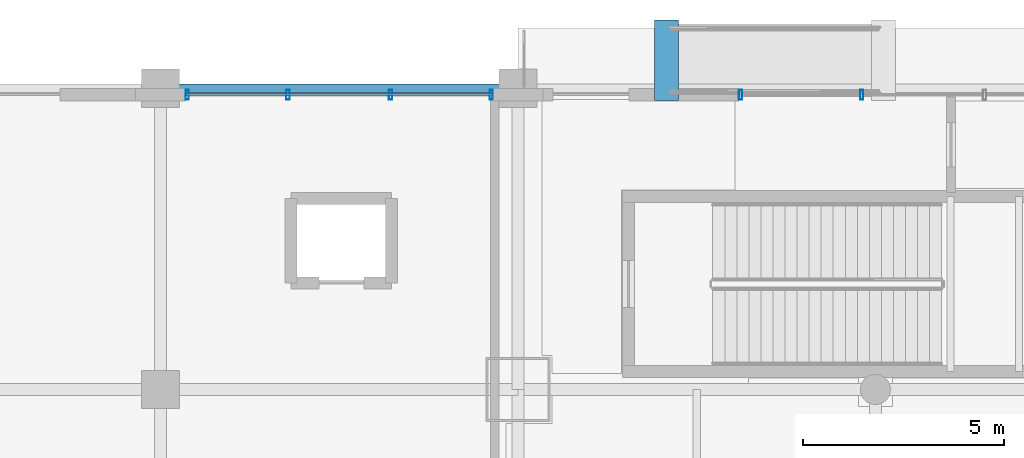
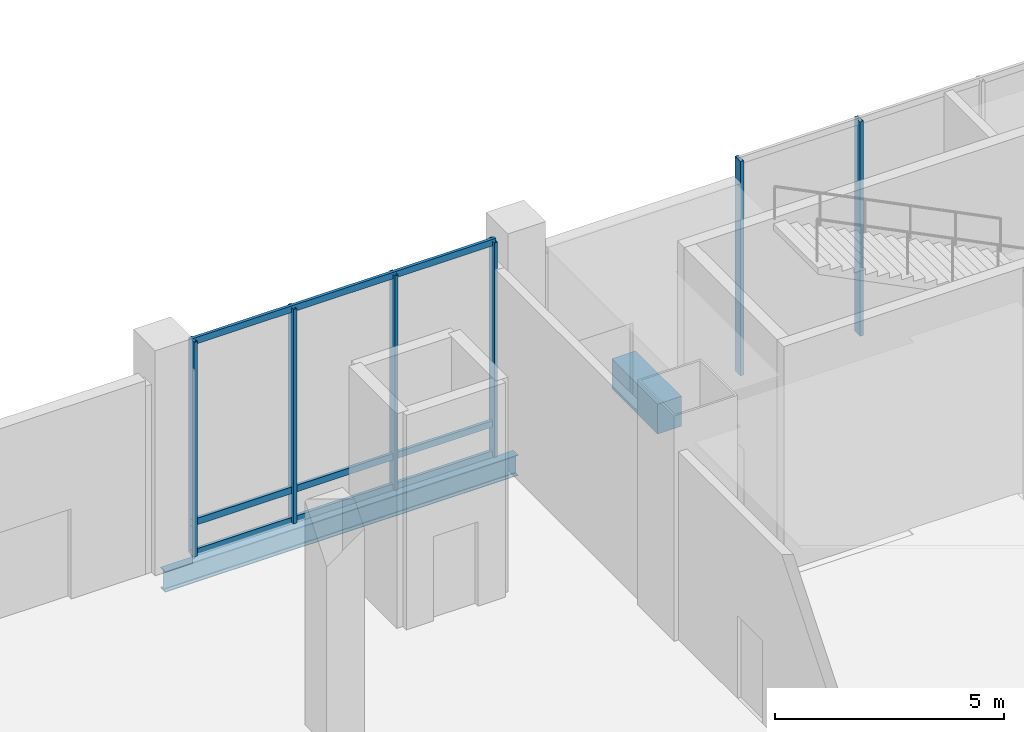
# One storey, part 8 of 32: 9 members, 2 beams, 2 elements without a shape of their own.
"""IFC4 building model written with IfcOpenShell, lengths in metres."""

from ifc_helpers import new_model, si_unit, direction, frame, origin, origin_2d, place, context, subcontext, project, spatial, rectangle, hollow_rectangle, i_section, extrude, material, material_profile, profile_set, type_object, element, aggregate, save


model = new_model("IFC4")

# Units and contexts
model_context = context("Model", 3, precision=1e-05, world=origin(), true_north=direction((0.0, 1.0)))
body_context = subcontext(model_context, "Body", "Model", "MODEL_VIEW")
ifc_project = project(units=[si_unit("LENGTHUNIT", "METRE"), si_unit("AREAUNIT", "SQUARE_METRE"), si_unit("VOLUMEUNIT", "CUBIC_METRE"), si_unit("PLANEANGLEUNIT", "RADIAN"), si_unit("MASSUNIT", "GRAM", prefix="KILO")], contexts=[model_context])

# Site, building, storey
site_placement = place(None, origin())
site = spatial("IfcSite", under=ifc_project, at=site_placement, CompositionType="ELEMENT")
building_placement = place(site_placement, origin())
building = spatial("IfcBuilding", under=site, at=building_placement, Name="Punatoya Terracotta Tower", CompositionType="ELEMENT")
storey_placement = place(building_placement, origin())
storey = spatial("IfcBuildingStorey", under=building, at=storey_placement, Name="L00", CompositionType="ELEMENT", Elevation=0.0)

# Beams
ifc_material_1 = material(Name="Concrete C45/55", Category="concrete")
ifc_material_profile_1 = material_profile(ifc_material_1, rectangle(XDim=0.60009765625, YDim=0.800048828125, at=origin_2d()))
ifc_profile_set_1 = profile_set([ifc_material_profile_1], Name="Concrete C45/55")
beam_type_1 = type_object("IfcBeamType", Name="BM-RC-GRD", PredefinedType="BEAM", material=ifc_profile_set_1)
beam_1_placement = place(storey_placement, frame((-15.39990234375, 24.699951171875, -0.39990234375), z_axis=(0.0, 1.0, 0.0), x_axis=(-1.0, 0.0, 0.0)))
element("IfcBeam", 1, at=beam_1_placement, inside=storey, type_object=beam_type_1, Name="GB-PR3-HI", PredefinedType="BEAM", context=body_context, shape_type="SweptSolid", body=[
    extrude(rectangle(XDim=0.60009765625, YDim=0.800048828125, at=origin_2d()), origin(), (0.0, 0.0, 1.0), 2.0),
])
ifc_material_2 = material(Name="Steel S355", Category="steel")
ifc_material_profile_2 = material_profile(ifc_material_2, i_section(OverallWidth=0.2099609375, OverallDepth=0.550048828125, WebThickness=0.010986328125, FlangeThickness=0.01708984375, FilletRadius=0.01806640625, at=origin_2d()))
ifc_profile_set_2 = profile_set([ifc_material_profile_2], Name="Steel S355")
beam_type_2 = type_object("IfcBeamType", Name="BM-SPN-550", PredefinedType="SPANDREL", material=ifc_profile_set_2)
beam_2_placement = place(storey_placement, frame((-28.0, 25.0, -0.554931640625), z_axis=(1.0, 0.0, 0.0), x_axis=(0.0, 1.0, 0.0)))
element("IfcBeam", 2, at=beam_2_placement, inside=storey, type_object=beam_type_2, Name="BM-L00-HW2", PredefinedType="SPANDREL", context=body_context, shape_type="SweptSolid", body=[
    extrude(i_section(OverallWidth=0.2099609375, OverallDepth=0.550048828125, WebThickness=0.010986328125, FlangeThickness=0.01708984375, FilletRadius=0.01806640625, at=origin_2d()), origin(), (0.0, 0.0, 1.0), 8.89990234375),
])

# Curtain wall, members
ifc_material_3 = material(Name="Aluminium 6063-T6 + Double Low-E Glass", Category="aluminium")
curtain_wall_type = type_object("IfcCurtainWallType", Name="CW-POD", PredefinedType="NOTDEFINED", material=ifc_material_3)
curtain_wall_1_placement = place(storey_placement, origin())
curtain_wall_1 = element("IfcCurtainWall", 3, at=curtain_wall_1_placement, inside=storey, type_object=curtain_wall_type, Name="L00 Curtain Wall CWP-L00-N1A", PredefinedType="NOTDEFINED")
ifc_material_4 = material(Name="Aluminium 6063-T6", Category="aluminium")
ifc_material_profile_3 = material_profile(ifc_material_4, hollow_rectangle(XDim=0.0849609375, YDim=0.239990234375, WallThickness=0.0048828125, at=origin_2d()))
ifc_profile_set_3 = profile_set([ifc_material_profile_3], Name="Aluminium 6063-T6")
member_type_1 = type_object("IfcMemberType", Name="CW-MUL-POD", PredefinedType="MULLION", material=ifc_profile_set_3)
member_1_placement = place(storey_placement, frame((-27.3349609375, 24.840087890625, 0.0), z_axis=(0.0, 0.0, 1.0), x_axis=(1.0, 0.0, 0.0)))
member_1 = element("IfcMember", 4, at=member_1_placement, type_object=member_type_1, Name="CWP-L00-N1A Mullion 00", PredefinedType="MULLION", context=body_context, shape_type="SweptSolid", body=[
    extrude(hollow_rectangle(XDim=0.0849609375, YDim=0.239990234375, WallThickness=0.0048828125, at=origin_2d()), origin(), (0.0, 0.0, 1.0), 5.719970703125),
])
member_2_placement = place(storey_placement, frame((-24.82666015625, 24.840087890625, 0.0), z_axis=(0.0, 0.0, 1.0), x_axis=(1.0, 0.0, 0.0)))
member_2 = element("IfcMember", 5, at=member_2_placement, type_object=member_type_1, Name="CWP-L00-N1A Mullion 01", PredefinedType="MULLION", context=body_context, shape_type="SweptSolid", body=[
    extrude(hollow_rectangle(XDim=0.0849609375, YDim=0.239990234375, WallThickness=0.0048828125, at=origin_2d()), origin(), (0.0, 0.0, 1.0), 5.719970703125),
])
member_3_placement = place(storey_placement, frame((-22.273193359375, 24.840087890625, 0.0), z_axis=(0.0, 0.0, 1.0), x_axis=(1.0, 0.0, 0.0)))
member_3 = element("IfcMember", 6, at=member_3_placement, type_object=member_type_1, Name="CWP-L00-N1A Mullion 02", PredefinedType="MULLION", context=body_context, shape_type="SweptSolid", body=[
    extrude(hollow_rectangle(XDim=0.0849609375, YDim=0.239990234375, WallThickness=0.0048828125, at=origin_2d()), origin(), (0.0, 0.0, 1.0), 5.719970703125),
])
member_4_placement = place(storey_placement, frame((-19.764892578125, 24.840087890625, 0.0), z_axis=(0.0, 0.0, 1.0), x_axis=(1.0, 0.0, 0.0)))
member_4 = element("IfcMember", 7, at=member_4_placement, type_object=member_type_1, Name="CWP-L00-N1A Mullion 03", PredefinedType="MULLION", context=body_context, shape_type="SweptSolid", body=[
    extrude(hollow_rectangle(XDim=0.0849609375, YDim=0.239990234375, WallThickness=0.0048828125, at=origin_2d()), origin(), (0.0, 0.0, 1.0), 5.719970703125),
])

curtain_wall_2_placement = place(storey_placement, origin())
curtain_wall_2 = element("IfcCurtainWall", 8, at=curtain_wall_2_placement, inside=storey, type_object=curtain_wall_type, Name="L00 Curtain Wall CWP-L00-N1B", PredefinedType="NOTDEFINED")
member_5_placement = place(storey_placement, frame((-13.554931640625, 24.840087890625, 0.0), z_axis=(0.0, 0.0, 1.0), x_axis=(1.0, 0.0, 0.0)))
member_5 = element("IfcMember", 9, at=member_5_placement, type_object=member_type_1, Name="CWP-L00-N1B Mullion 00", PredefinedType="MULLION", context=body_context, shape_type="SweptSolid", body=[
    extrude(hollow_rectangle(XDim=0.0849609375, YDim=0.239990234375, WallThickness=0.0048828125, at=origin_2d()), origin(), (0.0, 0.0, 1.0), 5.719970703125),
])
member_6_placement = place(storey_placement, frame((-10.5400390625, 24.840087890625, 0.0), z_axis=(0.0, 0.0, 1.0), x_axis=(1.0, 0.0, 0.0)))
member_6 = element("IfcMember", 10, at=member_6_placement, type_object=member_type_1, Name="CWP-L00-N1B Mullion 01", PredefinedType="MULLION", context=body_context, shape_type="SweptSolid", body=[
    extrude(hollow_rectangle(XDim=0.0849609375, YDim=0.239990234375, WallThickness=0.0048828125, at=origin_2d()), origin(), (0.0, 0.0, 1.0), 5.719970703125),
])
aggregate(curtain_wall_2, [member_5, member_6])

# Member
ifc_material_profile_4 = material_profile(ifc_material_4, hollow_rectangle(XDim=0.074951171875, YDim=0.175048828125, WallThickness=0.00439453125, at=origin_2d()))
ifc_profile_set_4 = profile_set([ifc_material_profile_4], Name="Aluminium 6063-T6")
member_type_2 = type_object("IfcMemberType", Name="CW-TRN-POD", PredefinedType="USERDEFINED", material=ifc_profile_set_4)
member_7_placement = place(storey_placement, frame((-27.3798828125, 24.840087890625, 0.0400390625), z_axis=(1.0, 0.0, 0.0), x_axis=(0.0, 1.0, 0.0)))
member_7 = element("IfcMember", 11, at=member_7_placement, type_object=member_type_2, Name="CWP-L00-N1A Transom 1", ObjectType="TRANSOM", PredefinedType="USERDEFINED", context=body_context, shape_type="SweptSolid", body=[
    extrude(hollow_rectangle(XDim=0.074951171875, YDim=0.175048828125, WallThickness=0.00439453125, at=origin_2d()), origin(), (0.0, 0.0, 1.0), 7.659912109375),
])

member_8_placement = place(storey_placement, frame((-27.3798828125, 24.840087890625, 0.85009765625), z_axis=(1.0, 0.0, 0.0), x_axis=(0.0, 1.0, 0.0)))
member_8 = element("IfcMember", 12, at=member_8_placement, type_object=member_type_2, Name="CWP-L00-N1A Transom 2", ObjectType="TRANSOM", PredefinedType="USERDEFINED", context=body_context, shape_type="SweptSolid", body=[
    extrude(hollow_rectangle(XDim=0.074951171875, YDim=0.175048828125, WallThickness=0.00439453125, at=origin_2d()), origin(), (0.0, 0.0, 1.0), 7.659912109375),
])

member_9_placement = place(storey_placement, frame((-27.3798828125, 24.840087890625, 5.679931640625), z_axis=(1.0, 0.0, 0.0), x_axis=(0.0, 1.0, 0.0)))
member_9 = element("IfcMember", 13, at=member_9_placement, type_object=member_type_2, Name="CWP-L00-N1A Transom 3", ObjectType="TRANSOM", PredefinedType="USERDEFINED", context=body_context, shape_type="SweptSolid", body=[
    extrude(hollow_rectangle(XDim=0.074951171875, YDim=0.175048828125, WallThickness=0.00439453125, at=origin_2d()), origin(), (0.0, 0.0, 1.0), 7.659912109375),
])

aggregate(curtain_wall_1, [member_1, member_2, member_3, member_4, member_7, member_8, member_9])

save(model, "model.ifc")
